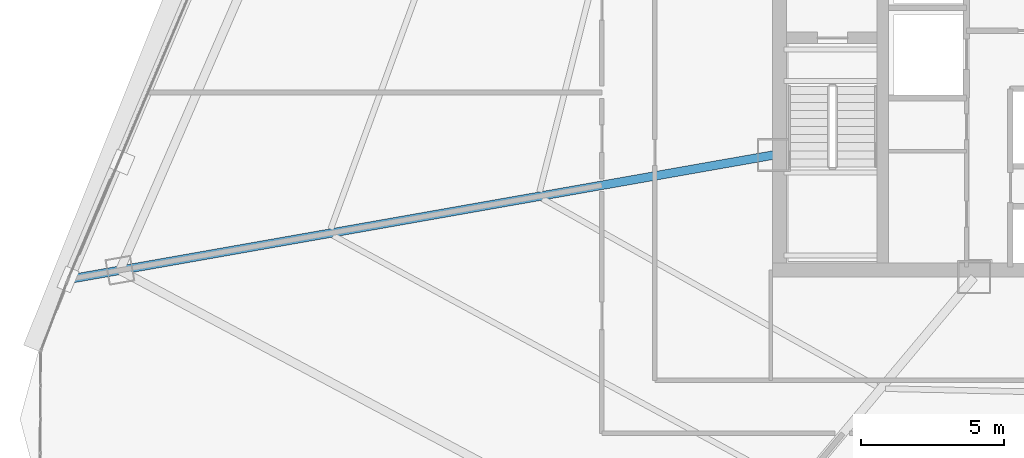
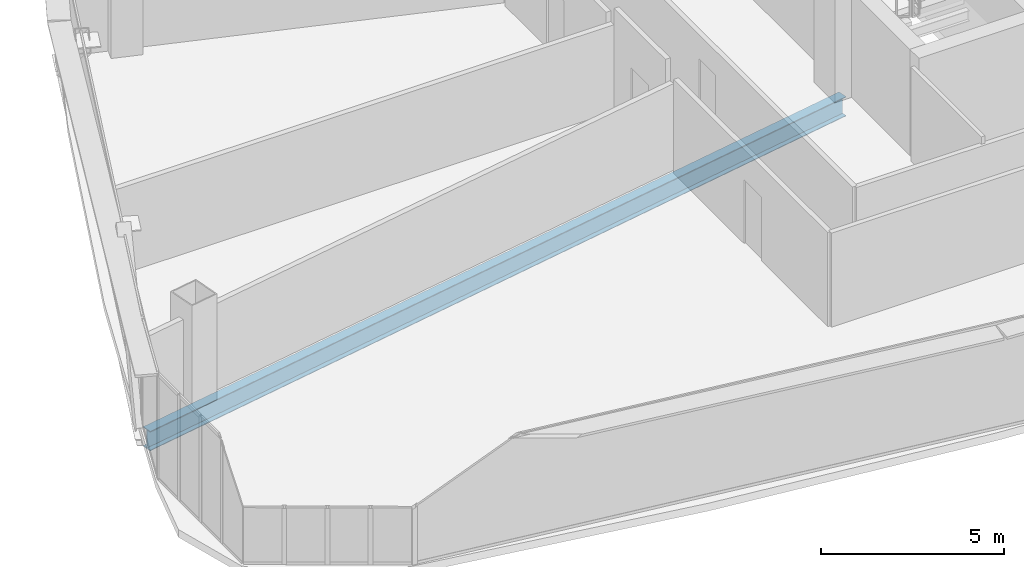
# One storey, part 5 of 37: 1 beam.
"""IFC4 building model written with IfcOpenShell, lengths in metres."""

from ifc_helpers import new_model, si_unit, direction, frame, origin, origin_2d, place, context, subcontext, project, spatial, i_section, extrude, source, transform, mapped, material, material_profile, profile_set, type_object, element, save


model = new_model("IFC4")

# Units and contexts
model_context = context("Model", 3, precision=1e-05, world=origin(), true_north=direction((0.0, 1.0)))
body_context = subcontext(model_context, "Body", "Model", "MODEL_VIEW")
ifc_project = project(units=[si_unit("LENGTHUNIT", "METRE"), si_unit("AREAUNIT", "SQUARE_METRE"), si_unit("VOLUMEUNIT", "CUBIC_METRE"), si_unit("PLANEANGLEUNIT", "RADIAN"), si_unit("MASSUNIT", "GRAM", prefix="KILO"), si_unit("THERMODYNAMICTEMPERATUREUNIT", "KELVIN"), si_unit("POWERUNIT", "WATT")], contexts=[model_context])

# Site, building, storey
site_placement = place(None, origin())
site = spatial("IfcSite", under=ifc_project, at=site_placement, CompositionType="ELEMENT")
building_placement = place(site_placement, origin())
building = spatial("IfcBuilding", under=site, at=building_placement, Name="Yunzhuo Pagoda Commons", CompositionType="ELEMENT")
storey_placement = place(building_placement, frame((0.0, 0.0, 207.56005859375)))
storey = spatial("IfcBuildingStorey", under=building, at=storey_placement, Name="L52", CompositionType="ELEMENT", Elevation=207.56005859375)

# Beam
ifc_material = material(Name="Structural steel Q355B", Category="steel")
ifc_material_profile = material_profile(ifc_material, i_section(OverallWidth=0.300048828125, OverallDepth=0.64990234375, WebThickness=0.012939453125, FlangeThickness=0.02197265625, at=origin_2d()), Name="Structural steel Q355B")
ifc_profile_set = profile_set([ifc_material_profile], Name="Structural steel Q355B")
beam_type = type_object("IfcBeamType", Name="B-RG2 Beam HN 650x300x13x22", PredefinedType="BEAM", material=ifc_profile_set)
shared_shape = source(origin(), body_context, "Body", "SweptSolid", [
    extrude(i_section(OverallWidth=0.300048828125, OverallDepth=0.64990234375, WebThickness=0.012939453125, FlangeThickness=0.02197265625, at=origin_2d()), origin(), (0.0, 0.0, 1.0), 24.83935546875),
])
beam_placement = place(storey_placement, frame((11.13818359375, 27.2001953125, -0.5849609375), z_axis=(0.98480818693, 0.17364571678, 0.0), x_axis=(-0.17364571678, 0.98480818693, 0.0)))
element("IfcBeam", 1, at=beam_placement, inside=storey, type_object=beam_type, Name="L52 radial floor girder F3C4", PredefinedType="BEAM", context=body_context, shape_type="MappedRepresentation", body=[
    mapped(shared_shape, transform((0.0, 0.0, 0.0), scale=1.0)),
])

save(model, "model.ifc")
